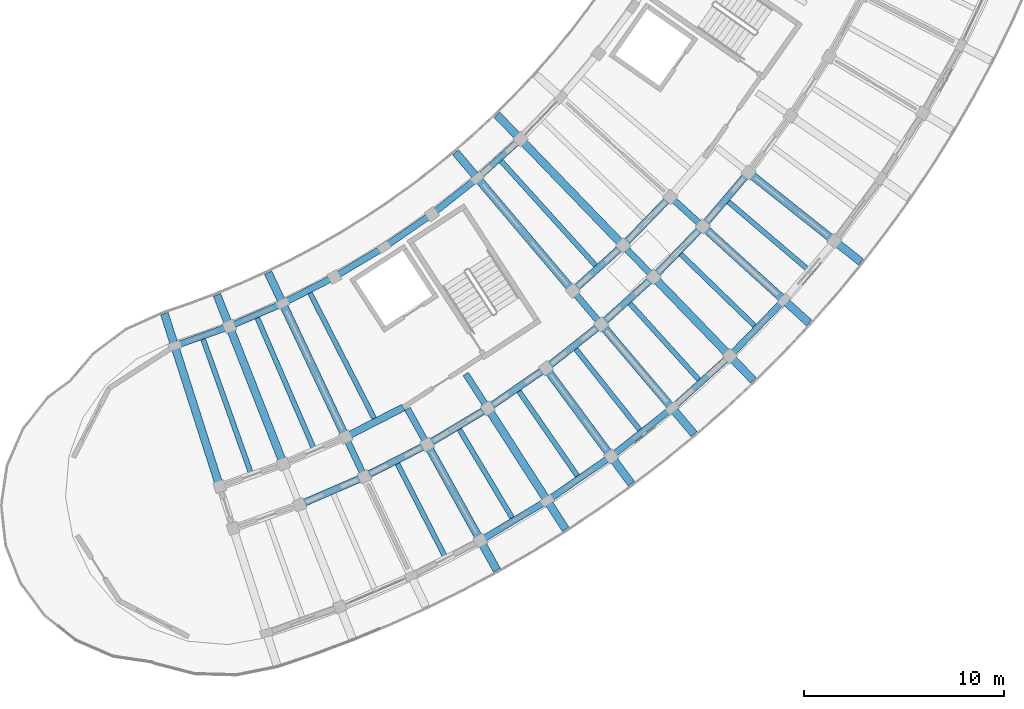
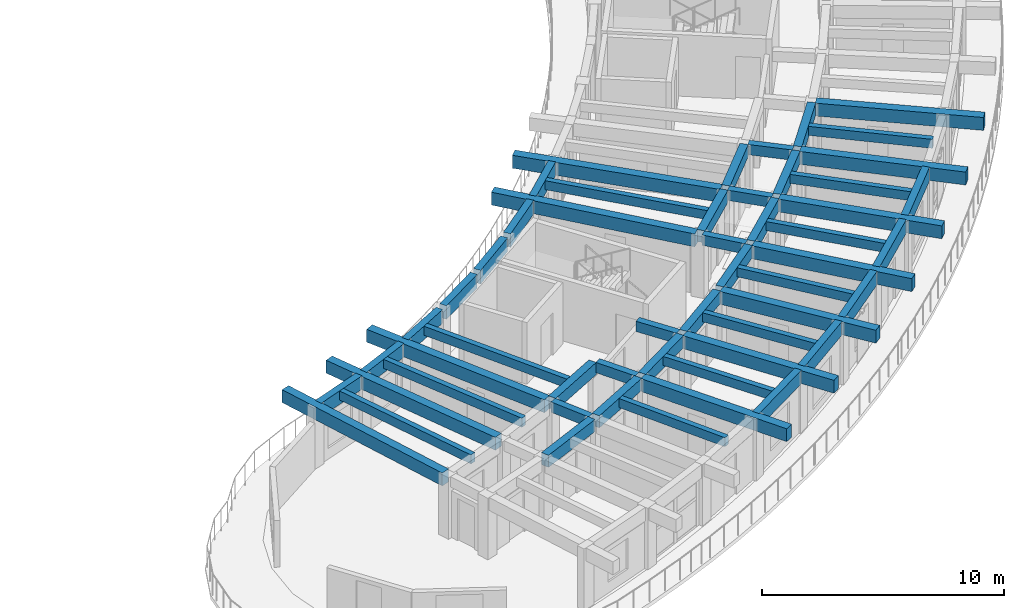
# One storey, part 19 of 81: 52 beams.
"""IFC4 building model written with IfcOpenShell, lengths in metres."""

from ifc_helpers import new_model, si_unit, direction, frame, origin, origin_2d, place, context, subcontext, project, spatial, rectangle, extrude, material, material_profile, profile_set, type_object, element, save


model = new_model("IFC4")

# Units and contexts
model_context = context("Model", 3, precision=1e-05, world=origin(), true_north=direction((0.0, 1.0)))
body_context = subcontext(model_context, "Body", "Model", "MODEL_VIEW")
ifc_project = project(units=[si_unit("LENGTHUNIT", "METRE"), si_unit("AREAUNIT", "SQUARE_METRE"), si_unit("VOLUMEUNIT", "CUBIC_METRE"), si_unit("PLANEANGLEUNIT", "RADIAN"), si_unit("MASSUNIT", "GRAM", prefix="KILO")], contexts=[model_context])

# Site, building, storey
site_placement = place(None, origin())
site = spatial("IfcSite", under=ifc_project, at=site_placement, CompositionType="ELEMENT")
building_placement = place(site_placement, origin())
building = spatial("IfcBuilding", under=site, at=building_placement, Name="Tanwirah Colonnade Gardens", CompositionType="ELEMENT")
storey_placement = place(building_placement, frame((0.0, 0.0, 18.919921875)))
storey = spatial("IfcBuildingStorey", under=building, at=storey_placement, Name="L05", CompositionType="ELEMENT", Elevation=18.919921875)

# Beams
ifc_material_1 = material(Name="Precast concrete C40/50", Category="concrete")
ifc_material_profile_1 = material_profile(ifc_material_1, rectangle(XDim=0.360107421875, YDim=0.610107421875, at=origin_2d()), Name="PC-BM 360x610")
ifc_profile_set_1 = profile_set([ifc_material_profile_1], Name="Precast concrete C40/50")
beam_type_1 = type_object("IfcBeamType", Name="BM-PC300", PredefinedType="BEAM", material=ifc_profile_set_1)
beam_1_placement = place(storey_placement, frame((140.947021484375, 14.2705078125, 2.80517578125), z_axis=(0.917943156181, 0.396711938338, 0.0), x_axis=(-0.396711938338, 0.917943156181, 0.0)))
element("IfcBeam", 1, at=beam_1_placement, inside=storey, type_object=beam_type_1, Name="Block D L05 Circumferential Beam 2-R2", PredefinedType="BEAM", context=body_context, shape_type="SweptSolid", body=[
    extrude(rectangle(XDim=0.360107421875, YDim=0.610107421875, at=origin_2d()), origin(), (0.0, 0.0, 1.0), 3.237060546875),
])
beam_2_placement = place(storey_placement, frame((143.2509765625, 17.67236328125, 2.80517578125), z_axis=(0.890027741769, 0.45590637074, 0.0), x_axis=(-0.45590637074, 0.890027741769, 0.0)))
element("IfcBeam", 2, at=beam_2_placement, inside=storey, type_object=beam_type_1, Name="Block D L05 Circumferential Beam 3-R1", PredefinedType="BEAM", context=body_context, shape_type="SweptSolid", body=[
    extrude(rectangle(XDim=0.360107421875, YDim=0.610107421875, at=origin_2d()), origin(), (0.0, 0.0, 1.0), 3.093017578125),
])
beam_3_placement = place(storey_placement, frame((144.189453125, 15.6826171875, 2.80517578125), z_axis=(0.890025451153, 0.45591084249, 0.0), x_axis=(-0.45591084249, 0.890025451153, 0.0)))
element("IfcBeam", 3, at=beam_3_placement, inside=storey, type_object=beam_type_1, Name="Block D L05 Circumferential Beam 3-R2", PredefinedType="BEAM", context=body_context, shape_type="SweptSolid", body=[
    extrude(rectangle(XDim=0.360107421875, YDim=0.610107421875, at=origin_2d()), origin(), (0.0, 0.0, 1.0), 3.237060546875),
])
beam_4_placement = place(storey_placement, frame((147.332763671875, 17.3037109375, 2.80517578125), z_axis=(0.858270604513, 0.513197398111, 0.0), x_axis=(-0.513197398111, 0.858270604513, 0.0)))
element("IfcBeam", 4, at=beam_4_placement, inside=storey, type_object=beam_type_1, Name="Block D L05 Circumferential Beam 4-R2", PredefinedType="BEAM", context=body_context, shape_type="SweptSolid", body=[
    extrude(rectangle(XDim=0.360107421875, YDim=0.610107421875, at=origin_2d()), origin(), (0.0, 0.0, 1.0), 3.23681640625),
])
beam_5_placement = place(storey_placement, frame((150.363037109375, 19.126953125, 2.80517578125), z_axis=(0.822889344221, 0.568201660651, 0.0), x_axis=(-0.568201660651, 0.822889344221, 0.0)))
element("IfcBeam", 5, at=beam_5_placement, inside=storey, type_object=beam_type_1, Name="Block D L05 Circumferential Beam 5-R2", PredefinedType="BEAM", context=body_context, shape_type="SweptSolid", body=[
    extrude(rectangle(XDim=0.360107421875, YDim=0.610107421875, at=origin_2d()), origin(), (0.0, 0.0, 1.0), 3.237060546875),
])
beam_6_placement = place(storey_placement, frame((153.267822265625, 21.144775390625, 2.80517578125), z_axis=(0.783993819374, 0.620768629349, 0.0), x_axis=(-0.620768629349, 0.783993819374, 0.0)))
element("IfcBeam", 6, at=beam_6_placement, inside=storey, type_object=beam_type_1, Name="Block D L05 Circumferential Beam 6-R2", PredefinedType="BEAM", context=body_context, shape_type="SweptSolid", body=[
    extrude(rectangle(XDim=0.360107421875, YDim=0.610107421875, at=origin_2d()), origin(), (0.0, 0.0, 1.0), 3.23681640625),
])
beam_7_placement = place(storey_placement, frame((154.61279296875, 25.027099609375, 2.80517578125), z_axis=(0.741698455559, 0.670733479873, 0.0), x_axis=(-0.670733479873, 0.741698455559, 0.0)))
element("IfcBeam", 7, at=beam_7_placement, inside=storey, type_object=beam_type_1, Name="Block D L05 Circumferential Beam 7-R1", PredefinedType="BEAM", context=body_context, shape_type="SweptSolid", body=[
    extrude(rectangle(XDim=0.360107421875, YDim=0.610107421875, at=origin_2d()), origin(), (0.0, 0.0, 1.0), 3.0927734375),
])
beam_8_placement = place(storey_placement, frame((156.0341796875, 23.347900390625, 2.80517578125), z_axis=(0.741701929733, 0.670729638104, 0.0), x_axis=(-0.670729638104, 0.741701929733, 0.0)))
element("IfcBeam", 8, at=beam_8_placement, inside=storey, type_object=beam_type_1, Name="Block D L05 Circumferential Beam 7-R2", PredefinedType="BEAM", context=body_context, shape_type="SweptSolid", body=[
    extrude(rectangle(XDim=0.360107421875, YDim=0.610107421875, at=origin_2d()), origin(), (0.0, 0.0, 1.0), 3.237060546875),
])
beam_9_placement = place(storey_placement, frame((157.12255859375, 27.309814453125, 2.80517578125), z_axis=(0.696209937932, 0.71783822852, 0.0), x_axis=(-0.71783822852, 0.696209937932, 0.0)))
element("IfcBeam", 9, at=beam_9_placement, inside=storey, type_object=beam_type_1, Name="Block D L05 Circumferential Beam 8-R1", PredefinedType="BEAM", context=body_context, shape_type="SweptSolid", body=[
    extrude(rectangle(XDim=0.360107421875, YDim=0.610107421875, at=origin_2d()), origin(), (0.0, 0.0, 1.0), 3.093017578125),
])
for number, where, z_axis, x_axis, name in (
    (10, (158.650634765625, 25.727294921875, 2.80517578125), (0.696238887656, 0.717810149911, 0.0), (-0.717810149911, 0.696238887656, 0.0), "Block D L05 Circumferential Beam 8-R2"),
    (11, (161.10595703125, 28.27294921875, 2.80517578125), (0.6478235549, 0.761790418499, 0.0), (-0.761790418499, 0.6478235549, 0.0), "Block D L05 Circumferential Beam 9-R2"),
):
    element("IfcBeam", number, at=place(storey_placement, frame(where, z_axis=z_axis, x_axis=x_axis)), inside=storey, type_object=beam_type_1, Name=name, PredefinedType="BEAM", context=body_context, shape_type="SweptSolid", body=[
        extrude(rectangle(XDim=0.360107421875, YDim=0.610107421875, at=origin_2d()), origin(), (0.0, 0.0, 1.0), 3.23681640625),
    ])
ifc_material_profile_2 = material_profile(ifc_material_1, rectangle(XDim=0.320068359375, YDim=0.52001953125, at=origin_2d()), Name="PC-BM 320x520")
ifc_profile_set_2 = profile_set([ifc_material_profile_2], Name="Precast concrete C40/50")
beam_type_2 = type_object("IfcBeamType", Name="BM-PC320", PredefinedType="BEAM", material=ifc_profile_set_2)
beam_10_placement = place(storey_placement, frame((143.181640625, 17.46826171875, 2.85009765625), z_axis=(0.426483812015, -0.904495195172, 0.0), x_axis=(0.904495195172, 0.426483812015, 0.0)))
element("IfcBeam", 12, at=beam_10_placement, inside=storey, type_object=beam_type_2, Name="Block D L05 Corridor Tie Beam 3", PredefinedType="BEAM", context=body_context, shape_type="SweptSolid", body=[
    extrude(rectangle(XDim=0.320068359375, YDim=0.52001953125, at=origin_2d()), origin(), (0.0, 0.0, 1.0), 1.89990234375),
])
beam_11_placement = place(storey_placement, frame((146.210205078125, 19.019775390625, 2.85009765625), z_axis=(0.484791759649, -0.874629607192, 0.0), x_axis=(0.874629607192, 0.484791759649, 0.0)))
element("IfcBeam", 13, at=beam_11_placement, inside=storey, type_object=beam_type_2, Name="Block D L05 Corridor Tie Beam 4", PredefinedType="BEAM", context=body_context, shape_type="SweptSolid", body=[
    extrude(rectangle(XDim=0.320068359375, YDim=0.52001953125, at=origin_2d()), origin(), (0.0, 0.0, 1.0), 1.900146484375),
])
beam_12_placement = place(storey_placement, frame((149.130615234375, 20.765869140625, 2.85009765625), z_axis=(0.540984881989, -0.841032316537, 0.0), x_axis=(0.841032316537, 0.540984881989, 0.0)))
element("IfcBeam", 14, at=beam_12_placement, inside=storey, type_object=beam_type_2, Name="Block D L05 Corridor Tie Beam 5", PredefinedType="BEAM", context=body_context, shape_type="SweptSolid", body=[
    extrude(rectangle(XDim=0.320068359375, YDim=0.52001953125, at=origin_2d()), origin(), (0.0, 0.0, 1.0), 1.89990234375),
])
beam_13_placement = place(storey_placement, frame((154.598388671875, 24.81201171875, 2.85009765625), z_axis=(0.646155325581, -0.763205932382, 0.0), x_axis=(0.763205932382, 0.646155325581, 0.0)))
element("IfcBeam", 15, at=beam_13_placement, inside=storey, type_object=beam_type_2, Name="Block D L05 Corridor Tie Beam 7", PredefinedType="BEAM", context=body_context, shape_type="SweptSolid", body=[
    extrude(rectangle(XDim=0.320068359375, YDim=0.52001953125, at=origin_2d()), origin(), (0.0, 0.0, 1.0), 1.900146484375),
])
beam_14_placement = place(storey_placement, frame((157.122314453125, 27.09423828125, 2.85009765625), z_axis=(0.694663306685, -0.719335033448, 0.0), x_axis=(0.719335033448, 0.694663306685, 0.0)))
element("IfcBeam", 16, at=beam_14_placement, inside=storey, type_object=beam_type_2, Name="Block D L05 Corridor Tie Beam 8", PredefinedType="BEAM", context=body_context, shape_type="SweptSolid", body=[
    extrude(rectangle(XDim=0.320068359375, YDim=0.52001953125, at=origin_2d()), origin(), (0.0, 0.0, 1.0), 1.89990234375),
])
beam_15_placement = place(storey_placement, frame((159.491455078125, 29.536865234375, 2.85009765625), z_axis=(0.740219127015, -0.672365707038, 0.0), x_axis=(0.672365707038, 0.740219127015, 0.0)))
element("IfcBeam", 17, at=beam_15_placement, inside=storey, type_object=beam_type_2, Name="Block D L05 Corridor Tie Beam 9", PredefinedType="BEAM", context=body_context, shape_type="SweptSolid", body=[
    extrude(rectangle(XDim=0.320068359375, YDim=0.52001953125, at=origin_2d()), origin(), (0.0, 0.0, 1.0), 1.899658203125),
])
ifc_material_2 = material(Name="Precast concrete C45/55", Category="concrete")
ifc_material_profile_3 = material_profile(ifc_material_2, rectangle(XDim=0.39990234375, YDim=0.64990234375, at=origin_2d()), Name="PC-BM 400x650")
ifc_profile_set_3 = profile_set([ifc_material_profile_3], Name="Precast concrete C45/55")
beam_type_3 = type_object("IfcBeamType", Name="BM-PC400", PredefinedType="BEAM", material=ifc_profile_set_3)
for number, where, z_axis, x_axis, name in (
    (18, (136.761474609375, 15.26123046875, 2.78515625), (-0.304862826508, 0.952396270999, 0.0), (-0.952396270999, -0.304862826508, 0.0), "Block D L05 Inner Radial Precast Girder 1"),
    (19, (139.947998046875, 16.3974609375, 2.78515625), (-0.36648945479, 0.930422204984, 0.0), (-0.930422204984, -0.36648945479, 0.0), "Block D L05 Inner Radial Precast Girder 2"),
    (20, (143.0537109375, 17.73974609375, 2.78515625), (-0.426582468098, 0.904448670689, 0.0), (-0.904448670689, -0.426582468098, 0.0), "Block D L05 Inner Radial Precast Girder 3"),
):
    element("IfcBeam", number, at=place(storey_placement, frame(where, z_axis=z_axis, x_axis=x_axis)), inside=storey, type_object=beam_type_3, Name=name, PredefinedType="BEAM", context=body_context, shape_type="SweptSolid", body=[
        extrude(rectangle(XDim=0.39990234375, YDim=0.64990234375, at=origin_2d()), origin(), (0.0, 0.0, 1.0), 8.949951171875),
    ])
beam_16_placement = place(storey_placement, frame((147.276611328125, 17.095703125, 2.78515625), z_axis=(0.484804753745, -0.874622404667, 0.0), x_axis=(0.874622404667, 0.484804753745, 0.0)))
element("IfcBeam", 21, at=beam_16_placement, inside=storey, type_object=beam_type_3, Name="Block D L05 Outer Radial Precast Girder 4", PredefinedType="BEAM", context=body_context, shape_type="SweptSolid", body=[
    extrude(rectangle(XDim=0.39990234375, YDim=0.64990234375, at=origin_2d()), origin(), (0.0, 0.0, 1.0), 7.05029296875),
])
for number, where, z_axis, x_axis, name in (
    (22, (150.32080078125, 18.915771484375, 2.78515625), (0.540976349149, -0.841037805132, 0.0), (0.841037805132, 0.540976349149, 0.0), "Block D L05 Outer Radial Precast Girder 5"),
    (23, (153.239501953125, 20.930908203125, 2.78515625), (0.594806754627, -0.803868723518, 0.0), (0.803868723518, 0.594806754627, 0.0), "Block D L05 Outer Radial Precast Girder 6"),
):
    element("IfcBeam", number, at=place(storey_placement, frame(where, z_axis=z_axis, x_axis=x_axis)), inside=storey, type_object=beam_type_3, Name=name, PredefinedType="BEAM", context=body_context, shape_type="SweptSolid", body=[
        extrude(rectangle(XDim=0.39990234375, YDim=0.64990234375, at=origin_2d()), origin(), (0.0, 0.0, 1.0), 7.050048828125),
    ])
beam_17_placement = place(storey_placement, frame((154.404541015625, 25.040771484375, 2.78515625), z_axis=(-0.64611097415, 0.763243479554, 0.0), x_axis=(-0.763243479554, -0.64611097415, 0.0)))
element("IfcBeam", 24, at=beam_17_placement, inside=storey, type_object=beam_type_3, Name="Block D L05 Inner Radial Precast Girder 7", PredefinedType="BEAM", context=body_context, shape_type="SweptSolid", body=[
    extrude(rectangle(XDim=0.39990234375, YDim=0.64990234375, at=origin_2d()), origin(), (0.0, 0.0, 1.0), 8.949951171875),
])
beam_18_placement = place(storey_placement, frame((156.02001953125, 23.1328125, 2.78515625), z_axis=(0.646119193339, -0.763236521663, 0.0), x_axis=(0.763236521663, 0.646119193339, 0.0)))
element("IfcBeam", 25, at=beam_18_placement, inside=storey, type_object=beam_type_3, Name="Block D L05 Outer Radial Precast Girder 7", PredefinedType="BEAM", context=body_context, shape_type="SweptSolid", body=[
    extrude(rectangle(XDim=0.39990234375, YDim=0.64990234375, at=origin_2d()), origin(), (0.0, 0.0, 1.0), 7.050048828125),
])
beam_19_placement = place(storey_placement, frame((156.913818359375, 27.31005859375, 2.78515625), z_axis=(-0.694655848402, 0.719342235852, 0.0), x_axis=(-0.719342235852, -0.694655848402, 0.0)))
element("IfcBeam", 26, at=beam_19_placement, inside=storey, type_object=beam_type_3, Name="Block D L05 Inner Radial Precast Girder 8", PredefinedType="BEAM", context=body_context, shape_type="SweptSolid", body=[
    extrude(rectangle(XDim=0.39990234375, YDim=0.64990234375, at=origin_2d()), origin(), (0.0, 0.0, 1.0), 8.9501953125),
])
beam_20_placement = place(storey_placement, frame((158.650390625, 25.51171875, 2.78515625), z_axis=(0.69467114255, -0.719327466254, 0.0), x_axis=(0.719327466254, 0.69467114255, 0.0)))
element("IfcBeam", 27, at=beam_20_placement, inside=storey, type_object=beam_type_3, Name="Block D L05 Outer Radial Precast Girder 8", PredefinedType="BEAM", context=body_context, shape_type="SweptSolid", body=[
    extrude(rectangle(XDim=0.39990234375, YDim=0.64990234375, at=origin_2d()), origin(), (0.0, 0.0, 1.0), 7.050048828125),
])
for number, where, z_axis, x_axis, name in (
    (28, (161.119873046875, 28.0576171875, 2.78515625), (0.740229899169, -0.672353847596, 0.0), (0.672353847596, 0.740229899169, 0.0), "Block D L05 Outer Radial Precast Girder 9"),
    (29, (163.41748046875, 30.759765625, 2.78515625), (0.782609106384, -0.622513442911, 0.0), (0.622513442911, 0.782609106384, 0.0), "Block D L05 Outer Radial Precast Girder 10"),
):
    element("IfcBeam", number, at=place(storey_placement, frame(where, z_axis=z_axis, x_axis=x_axis)), inside=storey, type_object=beam_type_3, Name=name, PredefinedType="BEAM", context=body_context, shape_type="SweptSolid", body=[
        extrude(rectangle(XDim=0.39990234375, YDim=0.64990234375, at=origin_2d()), origin(), (0.0, 0.0, 1.0), 7.0498046875),
    ])
ifc_material_profile_4 = material_profile(ifc_material_1, rectangle(XDim=0.2548828125, YDim=0.455078125, at=origin_2d()), Name="PC-JST 255x455")
ifc_profile_set_4 = profile_set([ifc_material_profile_4], Name="Precast concrete C40/50")
beam_type_4 = type_object("IfcBeamType", Name="JST-PC240", PredefinedType="JOIST", material=ifc_profile_set_4)
beam_21_placement = place(storey_placement, frame((135.969482421875, 22.51904296875, 2.882568359375), z_axis=(0.335861148107, -0.941911508154, 0.0), x_axis=(0.941911508154, 0.335861148107, 0.0)))
element("IfcBeam", 30, at=beam_21_placement, inside=storey, type_object=beam_type_4, Name="Block D L05 Inner Precast Floor Joist 1", PredefinedType="JOIST", context=body_context, shape_type="SweptSolid", body=[
    extrude(rectangle(XDim=0.2548828125, YDim=0.455078125, at=origin_2d()), origin(), (0.0, 0.0, 1.0), 7.16015625),
])
beam_22_placement = place(storey_placement, frame((138.68310546875, 23.587890625, 2.882568359375), z_axis=(0.396736454079, -0.917932560706, 0.0), x_axis=(0.917932560706, 0.396736454079, 0.0)))
element("IfcBeam", 31, at=beam_22_placement, inside=storey, type_object=beam_type_4, Name="Block D L05 Inner Precast Floor Joist 2", PredefinedType="JOIST", context=body_context, shape_type="SweptSolid", body=[
    extrude(rectangle(XDim=0.2548828125, YDim=0.455078125, at=origin_2d()), origin(), (0.0, 0.0, 1.0), 7.159912109375),
])
beam_23_placement = place(storey_placement, frame((145.697998046875, 16.287841796875, 2.882568359375), z_axis=(0.455936851617, -0.890012127635, 0.0), x_axis=(0.890012127635, 0.455936851617, 0.0)))
element("IfcBeam", 32, at=beam_23_placement, inside=storey, type_object=beam_type_4, Name="Block D L05 Precast Floor Joist 3", PredefinedType="JOIST", context=body_context, shape_type="SweptSolid", body=[
    extrude(rectangle(XDim=0.2548828125, YDim=0.455078125, at=origin_2d()), origin(), (0.0, 0.0, 1.0), 5.260009765625),
])
beam_24_placement = place(storey_placement, frame((141.321044921875, 24.83203125, 2.882568359375), z_axis=(0.455921327553, -0.890020080157, 0.0), x_axis=(0.890020080157, 0.455921327553, 0.0)))
element("IfcBeam", 33, at=beam_24_placement, inside=storey, type_object=beam_type_4, Name="Block D L05 Inner Precast Floor Joist 3", PredefinedType="JOIST", context=body_context, shape_type="SweptSolid", body=[
    extrude(rectangle(XDim=0.2548828125, YDim=0.455078125, at=origin_2d()), origin(), (0.0, 0.0, 1.0), 7.159912109375),
])
for number, where, z_axis, x_axis, name in (
    (34, (148.79833984375, 18.006591796875, 2.882568359375), (0.513157303227, -0.858294577721, 0.0), (0.858294577721, 0.513157303227, 0.0), "Block D L05 Precast Floor Joist 4"),
    (35, (151.779541015625, 19.924072265625, 2.882568359375), (0.56820792868, -0.822885016138, 0.0), (0.822885016138, 0.56820792868, 0.0), "Block D L05 Precast Floor Joist 5"),
    (36, (154.629150390625, 22.03271484375, 2.882568359375), (0.620787347885, -0.783978997617, 0.0), (0.783978997617, 0.620787347885, 0.0), "Block D L05 Precast Floor Joist 6"),
    (37, (157.33447265625, 24.322998046875, 2.882568359375), (0.670780841255, -0.741655622918, 0.0), (0.741655622918, 0.670780841255, 0.0), "Block D L05 Precast Floor Joist 7"),
):
    element("IfcBeam", number, at=place(storey_placement, frame(where, z_axis=z_axis, x_axis=x_axis)), inside=storey, type_object=beam_type_4, Name=name, PredefinedType="JOIST", context=body_context, shape_type="SweptSolid", body=[
        extrude(rectangle(XDim=0.2548828125, YDim=0.455078125, at=origin_2d()), origin(), (0.0, 0.0, 1.0), 5.260009765625),
    ])
beam_25_placement = place(storey_placement, frame((150.895263671875, 31.443115234375, 2.882568359375), z_axis=(0.670773136608, -0.741662591214, 0.0), x_axis=(0.741662591214, 0.670773136608, 0.0)))
element("IfcBeam", 38, at=beam_25_placement, inside=storey, type_object=beam_type_4, Name="Block D L05 Inner Precast Floor Joist 7", PredefinedType="JOIST", context=body_context, shape_type="SweptSolid", body=[
    extrude(rectangle(XDim=0.2548828125, YDim=0.455078125, at=origin_2d()), origin(), (0.0, 0.0, 1.0), 7.159912109375),
])
for number, where, z_axis, x_axis, name in (
    (39, (159.884521484375, 26.785400390625, 2.882568359375), (0.717816036263, -0.696232818878, 0.0), (0.696232818878, 0.717816036263, 0.0), "Block D L05 Precast Floor Joist 8"),
    (40, (162.267822265625, 29.409423828125, 2.882568359375), (0.761803021124, -0.647808734895, 0.0), (0.647808734895, 0.761803021124, 0.0), "Block D L05 Precast Floor Joist 9"),
):
    element("IfcBeam", number, at=place(storey_placement, frame(where, z_axis=z_axis, x_axis=x_axis)), inside=storey, type_object=beam_type_4, Name=name, PredefinedType="JOIST", context=body_context, shape_type="SweptSolid", body=[
        extrude(rectangle(XDim=0.2548828125, YDim=0.455078125, at=origin_2d()), origin(), (0.0, 0.0, 1.0), 5.260009765625),
    ])
ifc_material_profile_5 = material_profile(ifc_material_1, rectangle(XDim=0.324951171875, YDim=0.68505859375, at=origin_2d()), Name="PC-SP 325x685")
ifc_profile_set_5 = profile_set([ifc_material_profile_5], Name="Precast concrete C40/50")
beam_type_5 = type_object("IfcBeamType", Name="SP-PC260", PredefinedType="SPANDREL", material=ifc_profile_set_5)
for number, where, z_axis, x_axis, name in (
    (41, (134.692626953125, 22.21630859375, 2.767578125), (0.941898499992, 0.335897626835, 0.0), (-0.335897626835, 0.941898499992, 0.0), "Block D L05 Circumferential Beam 1-R0"),
    (42, (137.4287109375, 23.202392578125, 2.767578125), (0.917901260915, 0.396808864833, 0.0), (-0.396808864833, 0.917901260915, 0.0), "Block D L05 Circumferential Beam 2-R0"),
    (43, (140.094482421875, 24.365478515625, 2.767578125), (0.890042438658, 0.455877678097, 0.0), (-0.455877678097, 0.890042438658, 0.0), "Block D L05 Circumferential Beam 3-R0"),
    (44, (142.678466796875, 25.7001953125, 2.767578125), (0.858301131151, 0.513146341958, 0.0), (-0.513146341958, 0.858301131151, 0.0), "Block D L05 Circumferential Beam 4-R0"),
):
    element("IfcBeam", number, at=place(storey_placement, frame(where, z_axis=z_axis, x_axis=x_axis)), inside=storey, type_object=beam_type_5, Name=name, PredefinedType="SPANDREL", context=body_context, shape_type="SweptSolid", body=[
        extrude(rectangle(XDim=0.324951171875, YDim=0.68505859375, at=origin_2d()), origin(), (0.0, 0.0, 1.0), 2.608642578125),
    ])
beam_26_placement = place(storey_placement, frame((149.999267578125, 12.493408203125, 2.767578125), z_axis=(0.858282522832, 0.513177465407, 0.0), x_axis=(-0.513177465407, 0.858282522832, 0.0)))
element("IfcBeam", 45, at=beam_26_placement, inside=storey, type_object=beam_type_5, Name="Block D L05 Circumferential Beam 4-R3", PredefinedType="SPANDREL", context=body_context, shape_type="SweptSolid", body=[
    extrude(rectangle(XDim=0.324951171875, YDim=0.68505859375, at=origin_2d()), origin(), (0.0, 0.0, 1.0), 3.5966796875),
])
beam_27_placement = place(storey_placement, frame((145.169677734375, 27.200927734375, 2.767578125), z_axis=(0.822868771031, 0.568231454305, 0.0), x_axis=(-0.568231454305, 0.822868771031, 0.0)))
element("IfcBeam", 46, at=beam_27_placement, inside=storey, type_object=beam_type_5, Name="Block D L05 Circumferential Beam 5-R0", PredefinedType="SPANDREL", context=body_context, shape_type="SweptSolid", body=[
    extrude(rectangle(XDim=0.324951171875, YDim=0.68505859375, at=origin_2d()), origin(), (0.0, 0.0, 1.0), 2.60888671875),
])
beam_28_placement = place(storey_placement, frame((153.33837890625, 14.50146484375, 2.767578125), z_axis=(0.822907478943, 0.568175396423, 0.0), x_axis=(-0.568175396423, 0.822907478943, 0.0)))
element("IfcBeam", 47, at=beam_28_placement, inside=storey, type_object=beam_type_5, Name="Block D L05 Circumferential Beam 5-R3", PredefinedType="SPANDREL", context=body_context, shape_type="SweptSolid", body=[
    extrude(rectangle(XDim=0.324951171875, YDim=0.68505859375, at=origin_2d()), origin(), (0.0, 0.0, 1.0), 3.596923828125),
])
beam_29_placement = place(storey_placement, frame((147.557373046875, 28.861572265625, 2.767578125), z_axis=(0.783945239852, 0.62082997746, 0.0), x_axis=(-0.62082997746, 0.783945239852, 0.0)))
element("IfcBeam", 48, at=beam_29_placement, inside=storey, type_object=beam_type_5, Name="Block D L05 Circumferential Beam 6-R0", PredefinedType="SPANDREL", context=body_context, shape_type="SweptSolid", body=[
    extrude(rectangle(XDim=0.324951171875, YDim=0.68505859375, at=origin_2d()), origin(), (0.0, 0.0, 1.0), 2.60888671875),
])
beam_30_placement = place(storey_placement, frame((156.539306640625, 16.723388671875, 2.767578125), z_axis=(0.783971495357, 0.620796822211, 0.0), x_axis=(-0.620796822211, 0.783971495357, 0.0)))
element("IfcBeam", 49, at=beam_30_placement, inside=storey, type_object=beam_type_5, Name="Block D L05 Circumferential Beam 6-R3", PredefinedType="SPANDREL", context=body_context, shape_type="SweptSolid", body=[
    extrude(rectangle(XDim=0.324951171875, YDim=0.68505859375, at=origin_2d()), origin(), (0.0, 0.0, 1.0), 3.596923828125),
])
beam_31_placement = place(storey_placement, frame((149.83154296875, 30.675048828125, 2.767578125), z_axis=(0.741686528432, 0.670746668678, 0.0), x_axis=(-0.670746668678, 0.741686528432, 0.0)))
element("IfcBeam", 50, at=beam_31_placement, inside=storey, type_object=beam_type_5, Name="Block D L05 Circumferential Beam 7-R0", PredefinedType="SPANDREL", context=body_context, shape_type="SweptSolid", body=[
    extrude(rectangle(XDim=0.324951171875, YDim=0.68505859375, at=origin_2d()), origin(), (0.0, 0.0, 1.0), 2.608642578125),
])
beam_32_placement = place(storey_placement, frame((159.587890625, 19.150146484375, 2.767578125), z_axis=(0.741682092868, 0.670751573325, 0.0), x_axis=(-0.670751573325, 0.741682092868, 0.0)))
element("IfcBeam", 51, at=beam_32_placement, inside=storey, type_object=beam_type_5, Name="Block D L05 Circumferential Beam 7-R3", PredefinedType="SPANDREL", context=body_context, shape_type="SweptSolid", body=[
    extrude(rectangle(XDim=0.324951171875, YDim=0.68505859375, at=origin_2d()), origin(), (0.0, 0.0, 1.0), 3.596923828125),
])
beam_33_placement = place(storey_placement, frame((162.471435546875, 21.77099609375, 2.767578125), z_axis=(0.696231699401, 0.717817122079, 0.0), x_axis=(-0.717817122079, 0.696231699401, 0.0)))
element("IfcBeam", 52, at=beam_33_placement, inside=storey, type_object=beam_type_5, Name="Block D L05 Circumferential Beam 8-R3", PredefinedType="SPANDREL", context=body_context, shape_type="SweptSolid", body=[
    extrude(rectangle(XDim=0.324951171875, YDim=0.68505859375, at=origin_2d()), origin(), (0.0, 0.0, 1.0), 3.5966796875),
])

save(model, "model.ifc")
